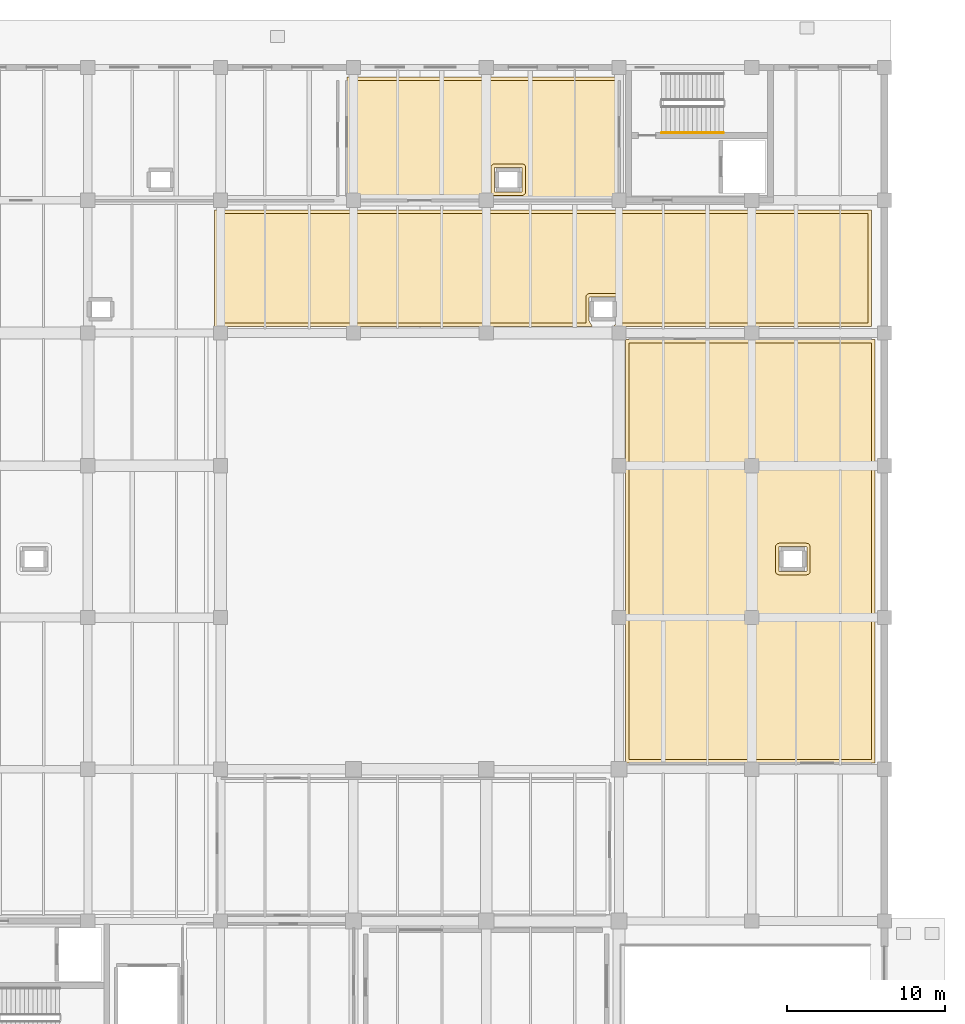
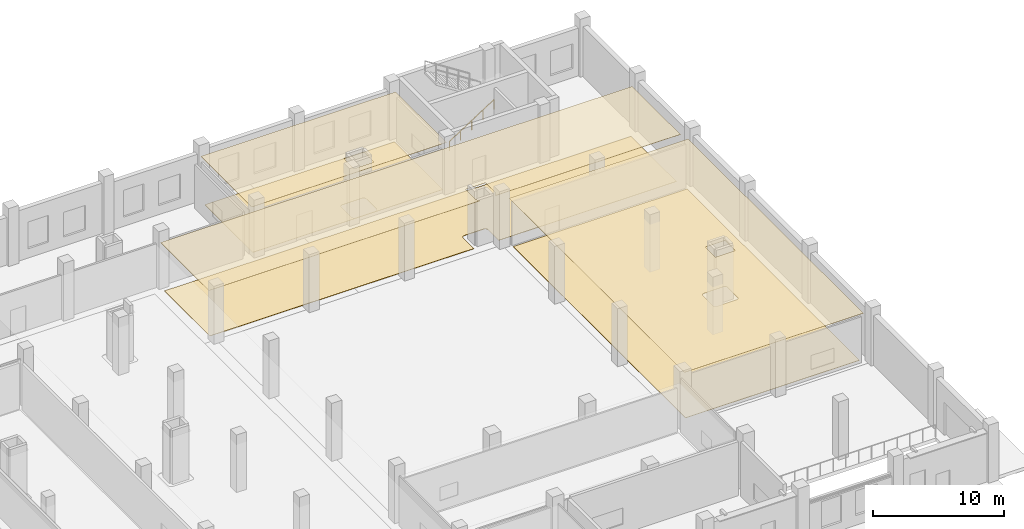
# One storey, part 63 of 65: 6 coverings, 1 railing.
"""IFC4 building model written with IfcOpenShell, lengths in metres."""

import ifcopenshell
import ifcopenshell.guid

model = None  # the IFC model being written
_history = None  # IfcOwnerHistory: only IFC2X3 demands one
_inside = {}  # id of a spatial element -> (the spatial element, [elements in it])
_under = {}  # id of a project, library or spatial element -> (it, [spatial elements below it])
_declared = {}  # id of a project -> (the project, [libraries it declares])
_typed = {}  # id of a type object -> (the type object, [elements of that type])
_made_of = {}  # id of a material, layer set ... -> (it, [elements and type objects made of it])


def new_model(schema):
    """Start an empty IFC model of exactly this schema.

    Asked for "IFC4X3", IfcOpenShell would pick the latest addendum, in which some entities
    have other attributes; the version numbers below select the first issue.
    IFC2X3 requires an IfcOwnerHistory on every rooted entity: one is made here for all.
    """
    global model, _history
    if schema == "IFC4X3":
        model = ifcopenshell.file(schema_version=(4, 3, 0, 0))
    else:
        model = ifcopenshell.file(schema=schema)
    _inside.clear()
    _under.clear()
    _declared.clear()
    _typed.clear()
    _made_of.clear()
    _history = None
    if model.schema == "IFC2X3":
        org = make("IfcOrganization", Name="unknown")
        user = make(
            "IfcPersonAndOrganization",
            ThePerson=make("IfcPerson", FamilyName="unknown"),
            TheOrganization=org,
        )
        app = make(
            "IfcApplication",
            ApplicationDeveloper=org,
            Version="unknown",
            ApplicationFullName="unknown",
            ApplicationIdentifier="unknown",
        )
        _history = make(
            "IfcOwnerHistory",
            OwningUser=user,
            OwningApplication=app,
            ChangeAction="ADDED",
            CreationDate=0,
        )
    return model


def make(cls, **values):
    """One entity of the class cls with the attributes given. An attribute that is None is left unset."""
    return model.create_entity(
        cls, **{name: value for name, value in values.items() if value is not None}
    )


def rooted(cls, **values):
    """An entity with a GlobalId (a new one), such as an element, a storey or a relation."""
    return make(cls, GlobalId=ifcopenshell.guid.new(), OwnerHistory=_history, **values)


def si_unit(unit_type, name, prefix=None):
    """IfcSIUnit, for example si_unit("LENGTHUNIT", "METRE", prefix="MILLI")."""
    return make("IfcSIUnit", UnitType=unit_type, Prefix=prefix, Name=name)


def assignment(units):
    """IfcUnitAssignment: the units of a project."""
    return None if units is None else make("IfcUnitAssignment", Units=units)


def point(xyz):
    """IfcCartesianPoint."""
    return None if xyz is None else make("IfcCartesianPoint", Coordinates=xyz)


def direction(xyz):
    """IfcDirection."""
    return None if xyz is None else make("IfcDirection", DirectionRatios=xyz)


def frame(location, z_axis=None, x_axis=None):
    """IfcAxis2Placement3D, a coordinate frame: its origin and axes. An axis left out is left unset."""
    return make(
        "IfcAxis2Placement3D",
        Location=point(location),
        Axis=direction(z_axis),
        RefDirection=direction(x_axis),
    )


def frame_2d(location, x_axis=None):
    """IfcAxis2Placement2D, a coordinate frame in the plane: its origin and x axis."""
    return make(
        "IfcAxis2Placement2D", Location=point(location), RefDirection=direction(x_axis)
    )


def origin():
    """The frame at (0, 0, 0) with its axes left unset."""
    return frame((0.0, 0.0, 0.0))


def origin_2d():
    """The frame at (0, 0) in the plane with its x axis left unset."""
    return frame_2d((0.0, 0.0))


def place(relative_to, where):
    """IfcLocalPlacement: puts the frame where relative to a parent placement (None: the world)."""
    return make(
        "IfcLocalPlacement", PlacementRelTo=relative_to, RelativePlacement=where
    )


def context(
    kind, dimensions, precision=None, world=None, true_north=None, identifier=None
):
    """IfcGeometricRepresentationContext, for example the 3D "Model" context."""
    return make(
        "IfcGeometricRepresentationContext",
        ContextIdentifier=identifier,
        ContextType=kind,
        CoordinateSpaceDimension=dimensions,
        Precision=precision,
        WorldCoordinateSystem=world,
        TrueNorth=true_north,
    )


def subcontext(parent, identifier, kind, view, scale=None):
    """IfcGeometricRepresentationSubContext, for example "Body" below "Model"."""
    return make(
        "IfcGeometricRepresentationSubContext",
        ContextIdentifier=identifier,
        ContextType=kind,
        ParentContext=parent,
        TargetScale=scale,
        TargetView=view,
    )


def project(units=None, contexts=None):
    """IfcProject with its units and contexts."""
    return rooted(
        "IfcProject",
        Name="project",
        RepresentationContexts=contexts,
        UnitsInContext=assignment(units),
    )


def spatial(cls, under=None, at=None, **own):
    """A site, building, storey or space (cls), placed at a placement, below another one or the project."""
    s = rooted(cls, ObjectPlacement=at, **own)
    if under is not None:
        _under.setdefault(under.id(), (under, []))[1].append(s)
    return s


def polyline(points):
    """IfcPolyline through the points."""
    return make("IfcPolyline", Points=[point(p) for p in points])


def profile(cls, at=None, kind="AREA", **sizes):
    """A parametric profile (cls). Its sizes go by their IFC names, for example OverallWidth=200.0."""
    return make(cls, ProfileType=kind, Position=at, **sizes)


def circle(**sizes):
    """IfcCircleProfileDef."""
    return profile("IfcCircleProfileDef", **sizes)


def outline(outer, holes=None, kind="AREA"):
    """IfcArbitraryClosedProfileDef: a profile drawn as a closed curve; with holes, ...WithVoids."""
    if holes is None:
        return make("IfcArbitraryClosedProfileDef", ProfileType=kind, OuterCurve=outer)
    return make(
        "IfcArbitraryProfileDefWithVoids",
        ProfileType=kind,
        OuterCurve=outer,
        InnerCurves=holes,
    )


def extrude(swept, where, along, depth):
    """IfcExtrudedAreaSolid: the profile swept, set in the frame where, extruded along a direction by depth."""
    return make(
        "IfcExtrudedAreaSolid",
        SweptArea=swept,
        Position=where,
        ExtrudedDirection=direction(along),
        Depth=depth,
    )


def shape(context_of_items, identifier, shape_type, items):
    """IfcShapeRepresentation: the items that make up one representation, for example the "Body"."""
    return make(
        "IfcShapeRepresentation",
        ContextOfItems=context_of_items,
        RepresentationIdentifier=identifier,
        RepresentationType=shape_type,
        Items=items,
    )


def material(Name=None, Category=None):
    """IfcMaterial."""
    return make("IfcMaterial", Name=Name, Category=Category)


def layer(
    of_material, thickness, ventilated=None, Name=None, Category=None, Priority=None
):
    """IfcMaterialLayer: one layer of a wall or slab, of a material (None: an air gap)."""
    return make(
        "IfcMaterialLayer",
        Material=of_material,
        LayerThickness=thickness,
        IsVentilated=ventilated,
        Name=Name,
        Category=Category,
        Priority=Priority,
    )


def layer_set(layers, Name=None):
    """IfcMaterialLayerSet."""
    return make("IfcMaterialLayerSet", MaterialLayers=layers, LayerSetName=Name)


def made_of(thing, what):
    """Note that an element or type object is made of a material, layer set ...; save() writes the relation."""
    if what is not None:
        _made_of.setdefault(what.id(), (what, []))[1].append(thing)
    return thing


def type_object(cls, material=None, **own):
    """A type object (cls), such as IfcWallType, which elements share."""
    return made_of(rooted(cls, **own), material)


def element(
    cls,
    number,
    at=None,
    inside=None,
    cuts=None,
    type_object=None,
    material=None,
    context=None,
    identifier="Body",
    shape_type=None,
    held_by="IfcProductDefinitionShape",
    body=None,
    shapes=None,
    **own,
):
    """One element of the class cls, such as IfcWall. Its Tag is "e" and its number.

    at: its placement. inside: the storey or other place that contains it. cuts: it is an
    opening in that element (IfcRelVoidsElement). A single representation is given by context,
    identifier, shape_type and body (its items); several are given by shapes. held_by: the class
    of the entity that holds the representations. save() writes the other relations.
    """
    e = rooted(cls, Tag="e%d" % number, ObjectPlacement=at, **own)
    if body is not None:
        shapes = [shape(context, identifier, shape_type, body)]
    if shapes is not None:
        e.Representation = make(held_by, Representations=shapes)
    if inside is not None:
        _inside.setdefault(inside.id(), (inside, []))[1].append(e)
    if cuts is not None:
        rooted(
            "IfcRelVoidsElement", RelatingBuildingElement=cuts, RelatedOpeningElement=e
        )
    if type_object is not None:
        _typed.setdefault(type_object.id(), (type_object, []))[1].append(e)
    return made_of(e, material)


def aggregate(whole, parts):
    """IfcRelAggregates: a whole, such as a stair, and the parts it consists of."""
    return rooted("IfcRelAggregates", RelatingObject=whole, RelatedObjects=parts)


def save(model, path):
    """Write the relations noted so far, then the file.

    IfcRelAggregates (storeys below a building ...), IfcRelContainedInSpatialStructure (elements
    in a storey), IfcRelDefinesByType, IfcRelAssociatesMaterial and IfcRelDeclares: one each for
    every whole, place, type object, material and project.
    """
    for whole, parts in _under.values():
        aggregate(whole, parts)
    for where, things in _inside.values():
        rooted(
            "IfcRelContainedInSpatialStructure",
            RelatedElements=things,
            RelatingStructure=where,
        )
    for kind, things in _typed.values():
        rooted("IfcRelDefinesByType", RelatedObjects=things, RelatingType=kind)
    for what, things in _made_of.values():
        rooted("IfcRelAssociatesMaterial", RelatedObjects=things, RelatingMaterial=what)
    for by, libraries in _declared.values():
        rooted("IfcRelDeclares", RelatingContext=by, RelatedDefinitions=libraries)
    model.write(path)


model = new_model("IFC4")

# Units and contexts
model_context = context("Model", 3, precision=1e-05, world=origin(), true_north=direction((0.0, 1.0)))
body_context = subcontext(model_context, "Body", "Model", "MODEL_VIEW")
ifc_project = project(units=[si_unit("LENGTHUNIT", "METRE"), si_unit("AREAUNIT", "SQUARE_METRE"), si_unit("VOLUMEUNIT", "CUBIC_METRE"), si_unit("PLANEANGLEUNIT", "RADIAN"), si_unit("MASSUNIT", "GRAM", prefix="KILO")], contexts=[model_context])

# Site, building, storey
site_placement = place(None, origin())
site = spatial("IfcSite", under=ifc_project, at=site_placement, CompositionType="ELEMENT")
building_placement = place(site_placement, origin())
building = spatial("IfcBuilding", under=site, at=building_placement, Name="Zulmaris Art Gallery", CompositionType="ELEMENT")
storey_placement = place(building_placement, origin())
storey = spatial("IfcBuildingStorey", under=building, at=storey_placement, Name="L00", CompositionType="ELEMENT", Elevation=0.0)

# Coverings
ifc_material_1 = material(Name="Micro-Perforated Gypsum Acoustic Ceiling", Category="gypsum")
ifc_layer_1 = layer(ifc_material_1, 0.02490234375)
ifc_layer_set_1 = layer_set([ifc_layer_1], Name="Micro-Perforated Gypsum Acoustic Ceiling")
covering_type_1 = type_object("IfcCoveringType", Name="COV-CL01", PredefinedType="CEILING", material=ifc_layer_set_1)
covering_1_placement = place(storey_placement, frame((0.0, 0.0, 4.449951171875)))
element("IfcCovering", 1, at=covering_1_placement, inside=storey, type_object=covering_type_1, Name="V5 North Archive Corridor acoustic ceiling", PredefinedType="CEILING", context=body_context, shape_type="SweptSolid", body=[
    extrude(outline(polyline([(199.590087890625, 66.590087890625), (199.590087890625, 59.2099609375), (183.28076171875, 59.2099609375), (183.476318359375, 59.535888671875), (183.4775390625, 59.53857421875), (183.478515625, 59.54150390625), (183.479248046875, 59.544189453125), (183.4794921875, 59.547119140625), (183.47998046875, 59.555419921875), (183.47998046875, 61.044677734375), (183.4794921875, 61.052978515625), (183.479248046875, 61.055908203125), (183.478515625, 61.05859375), (183.4775390625, 61.061279296875), (183.476318359375, 61.06396484375), (183.474609375, 61.06640625), (183.472900390625, 61.06884765625), (183.470947265625, 61.071044921875), (183.468994140625, 61.072998046875), (183.466552734375, 61.07470703125), (183.464111328125, 61.076171875), (183.46142578125, 61.077392578125), (183.45849609375, 61.07861328125), (183.455810546875, 61.0791015625), (183.452880859375, 61.07958984375), (183.444580078125, 61.080078125), (181.75537109375, 61.080078125), (181.7470703125, 61.07958984375), (181.744140625, 61.0791015625), (181.741455078125, 61.07861328125), (181.738525390625, 61.077392578125), (181.736083984375, 61.076171875), (181.7333984375, 61.07470703125), (181.731201171875, 61.072998046875), (181.72900390625, 61.071044921875), (181.72705078125, 61.06884765625), (181.725341796875, 61.06640625), (181.723876953125, 61.06396484375), (181.722412109375, 61.061279296875), (181.721435546875, 61.05859375), (181.720703125, 61.055908203125), (181.720458984375, 61.052978515625), (181.719970703125, 61.044677734375), (181.719970703125, 59.555419921875), (181.720458984375, 59.547119140625), (181.720703125, 59.544189453125), (181.721435546875, 59.54150390625), (181.722412109375, 59.53857421875), (181.723876953125, 59.535888671875), (181.919189453125, 59.2099609375), (158.010009765625, 59.2099609375), (158.010009765625, 66.590087890625), (199.590087890625, 66.590087890625)])), origin(), (0.0, 0.0, 1.0), 0.030029296875),
])
covering_2_placement = place(storey_placement, frame((0.0, 0.0, 4.449951171875)))
element("IfcCovering", 2, at=covering_2_placement, inside=storey, type_object=covering_type_1, Name="Exhibition Mount-Making Workshop acoustic ceiling", PredefinedType="CEILING", context=body_context, shape_type="SweptSolid", body=[
    extrude(outline(polyline([(184.010009765625, 58.389892578125), (199.7900390625, 58.389892578125), (199.7900390625, 31.610107421875), (184.010009765625, 31.610107421875), (184.010009765625, 58.389892578125)]), holes=[polyline([(193.741455078125, 45.278564453125), (193.738525390625, 45.277587890625), (193.736083984375, 45.276123046875), (193.7333984375, 45.274658203125), (193.731201171875, 45.27294921875), (193.72900390625, 45.27099609375), (193.72705078125, 45.268798828125), (193.725341796875, 45.2666015625), (193.723876953125, 45.263916015625), (193.722412109375, 45.261474609375), (193.721435546875, 45.258544921875), (193.720703125, 45.255859375), (193.720458984375, 45.2529296875), (193.719970703125, 45.24462890625), (193.719970703125, 43.75537109375), (193.720458984375, 43.7470703125), (193.720703125, 43.744140625), (193.721435546875, 43.741455078125), (193.722412109375, 43.738525390625), (193.723876953125, 43.736083984375), (193.725341796875, 43.7333984375), (193.72705078125, 43.731201171875), (193.72900390625, 43.72900390625), (193.731201171875, 43.72705078125), (193.7333984375, 43.725341796875), (193.736083984375, 43.723876953125), (193.738525390625, 43.722412109375), (193.741455078125, 43.721435546875), (193.744140625, 43.720703125), (193.7470703125, 43.720458984375), (193.75537109375, 43.719970703125), (195.444580078125, 43.719970703125), (195.452880859375, 43.720458984375), (195.455810546875, 43.720703125), (195.45849609375, 43.721435546875), (195.46142578125, 43.722412109375), (195.464111328125, 43.723876953125), (195.466552734375, 43.725341796875), (195.468994140625, 43.72705078125), (195.470947265625, 43.72900390625), (195.472900390625, 43.731201171875), (195.474609375, 43.7333984375), (195.476318359375, 43.736083984375), (195.4775390625, 43.738525390625), (195.478515625, 43.741455078125), (195.479248046875, 43.744140625), (195.4794921875, 43.7470703125), (195.47998046875, 43.75537109375), (195.47998046875, 45.24462890625), (195.4794921875, 45.2529296875), (195.479248046875, 45.255859375), (195.478515625, 45.258544921875), (195.4775390625, 45.261474609375), (195.476318359375, 45.263916015625), (195.474609375, 45.2666015625), (195.472900390625, 45.268798828125), (195.470947265625, 45.27099609375), (195.468994140625, 45.27294921875), (195.466552734375, 45.274658203125), (195.464111328125, 45.276123046875), (195.46142578125, 45.277587890625), (195.45849609375, 45.278564453125), (195.455810546875, 45.279296875), (195.452880859375, 45.279541015625), (195.444580078125, 45.280029296875), (193.75537109375, 45.280029296875), (193.7470703125, 45.279541015625), (193.744140625, 45.279296875), (193.741455078125, 45.278564453125)])]), origin(), (0.0, 0.0, 1.0), 0.030029296875),
])
covering_3_placement = place(storey_placement, frame((0.0, 0.0, 4.449951171875)))
element("IfcCovering", 3, at=covering_3_placement, inside=storey, type_object=covering_type_1, Name="Registrar & Collections Archive acoustic ceiling", PredefinedType="CEILING", context=body_context, shape_type="SweptSolid", body=[
    extrude(outline(polyline([(166.409912109375, 74.989990234375), (183.590087890625, 74.989990234375), (183.590087890625, 67.2099609375), (166.409912109375, 67.2099609375), (166.409912109375, 74.989990234375)]), holes=[polyline([(175.741455078125, 69.278564453125), (175.738525390625, 69.277587890625), (175.736083984375, 69.276123046875), (175.7333984375, 69.274658203125), (175.731201171875, 69.27294921875), (175.72900390625, 69.27099609375), (175.72705078125, 69.268798828125), (175.725341796875, 69.2666015625), (175.723876953125, 69.263916015625), (175.722412109375, 69.261474609375), (175.721435546875, 69.258544921875), (175.720703125, 69.255859375), (175.720458984375, 69.2529296875), (175.719970703125, 69.24462890625), (175.719970703125, 67.75537109375), (175.720458984375, 67.7470703125), (175.720703125, 67.744140625), (175.721435546875, 67.741455078125), (175.722412109375, 67.738525390625), (175.723876953125, 67.736083984375), (175.725341796875, 67.7333984375), (175.72705078125, 67.731201171875), (175.72900390625, 67.72900390625), (175.731201171875, 67.72705078125), (175.7333984375, 67.725341796875), (175.736083984375, 67.723876953125), (175.738525390625, 67.722412109375), (175.741455078125, 67.721435546875), (175.744140625, 67.720703125), (175.7470703125, 67.720458984375), (175.75537109375, 67.719970703125), (177.444580078125, 67.719970703125), (177.452880859375, 67.720458984375), (177.455810546875, 67.720703125), (177.45849609375, 67.721435546875), (177.46142578125, 67.722412109375), (177.464111328125, 67.723876953125), (177.466552734375, 67.725341796875), (177.468994140625, 67.72705078125), (177.470947265625, 67.72900390625), (177.472900390625, 67.731201171875), (177.474609375, 67.7333984375), (177.476318359375, 67.736083984375), (177.4775390625, 67.738525390625), (177.478515625, 67.741455078125), (177.479248046875, 67.744140625), (177.4794921875, 67.7470703125), (177.47998046875, 67.75537109375), (177.47998046875, 69.24462890625), (177.4794921875, 69.2529296875), (177.479248046875, 69.255859375), (177.478515625, 69.258544921875), (177.4775390625, 69.261474609375), (177.476318359375, 69.263916015625), (177.474609375, 69.2666015625), (177.472900390625, 69.268798828125), (177.470947265625, 69.27099609375), (177.468994140625, 69.27294921875), (177.466552734375, 69.274658203125), (177.464111328125, 69.276123046875), (177.46142578125, 69.277587890625), (177.45849609375, 69.278564453125), (177.455810546875, 69.279296875), (177.452880859375, 69.279541015625), (177.444580078125, 69.280029296875), (175.75537109375, 69.280029296875), (175.7470703125, 69.279541015625), (175.744140625, 69.279296875), (175.741455078125, 69.278564453125)])]), origin(), (0.0, 0.0, 1.0), 0.030029296875),
])
ifc_material_2 = material(Name="Honed Omani Limestone Terrazzo Flooring", Category="masonry")
ifc_layer_2 = layer(ifc_material_2, 0.0400390625)
ifc_layer_set_2 = layer_set([ifc_layer_2], Name="Honed Omani Limestone Terrazzo Flooring")
covering_type_2 = type_object("IfcCoveringType", Name="COV-FL01", PredefinedType="FLOORING", material=ifc_layer_set_2)
covering_4_placement = place(storey_placement, origin())
element("IfcCovering", 4, at=covering_4_placement, inside=storey, type_object=covering_type_2, Name="V5 North Archive Corridor finish flooring", PredefinedType="FLOORING", context=body_context, shape_type="SweptSolid", body=[
    extrude(outline(polyline([(158.22998046875, 59.429931640625), (158.22998046875, 66.3701171875), (199.3701171875, 66.3701171875), (199.3701171875, 59.429931640625), (183.669189453125, 59.429931640625), (183.67041015625, 59.43212890625), (183.680908203125, 59.454345703125), (183.689208984375, 59.477294921875), (183.6953125, 59.501220703125), (183.69873046875, 59.525390625), (183.699951171875, 59.550048828125), (183.699951171875, 61.050048828125), (183.69873046875, 61.074462890625), (183.6953125, 61.098876953125), (183.689208984375, 61.12255859375), (183.680908203125, 61.145751953125), (183.67041015625, 61.167724609375), (183.657958984375, 61.18896484375), (183.643310546875, 61.20849609375), (183.626708984375, 61.226806640625), (183.608642578125, 61.243408203125), (183.5888671875, 61.2578125), (183.56787109375, 61.2705078125), (183.545654296875, 61.281005859375), (183.522705078125, 61.289306640625), (183.498779296875, 61.295166015625), (183.474609375, 61.298828125), (183.449951171875, 61.300048828125), (181.75, 61.300048828125), (181.7255859375, 61.298828125), (181.701171875, 61.295166015625), (181.677490234375, 61.289306640625), (181.654296875, 61.281005859375), (181.632080078125, 61.2705078125), (181.611083984375, 61.2578125), (181.59130859375, 61.243408203125), (181.5732421875, 61.226806640625), (181.556640625, 61.20849609375), (181.5419921875, 61.18896484375), (181.529541015625, 61.167724609375), (181.51904296875, 61.145751953125), (181.5107421875, 61.12255859375), (181.5048828125, 61.098876953125), (181.501220703125, 61.074462890625), (181.5, 61.050048828125), (181.5, 59.550048828125), (181.501220703125, 59.525390625), (181.5048828125, 59.501220703125), (181.5107421875, 59.477294921875), (181.51904296875, 59.454345703125), (181.529541015625, 59.43212890625), (181.53076171875, 59.429931640625), (158.22998046875, 59.429931640625)])), origin(), (0.0, 0.0, 1.0), 0.034912109375),
])
covering_5_placement = place(storey_placement, origin())
element("IfcCovering", 5, at=covering_5_placement, inside=storey, type_object=covering_type_2, Name="Exhibition Mount-Making Workshop finish flooring", PredefinedType="FLOORING", context=body_context, shape_type="SweptSolid", body=[
    extrude(outline(polyline([(199.570068359375, 31.830078125), (184.22998046875, 31.830078125), (184.22998046875, 58.169921875), (199.570068359375, 58.169921875), (199.570068359375, 31.830078125)]), holes=[polyline([(193.7255859375, 45.498779296875), (193.701171875, 45.4951171875), (193.677490234375, 45.4892578125), (193.654296875, 45.48095703125), (193.632080078125, 45.470458984375), (193.611083984375, 45.4580078125), (193.59130859375, 45.443359375), (193.5732421875, 45.4267578125), (193.556640625, 45.40869140625), (193.5419921875, 45.388916015625), (193.529541015625, 45.367919921875), (193.51904296875, 45.345703125), (193.5107421875, 45.322509765625), (193.5048828125, 45.298828125), (193.501220703125, 45.2744140625), (193.5, 45.25), (193.5, 43.75), (193.501220703125, 43.7255859375), (193.5048828125, 43.701171875), (193.5107421875, 43.677490234375), (193.51904296875, 43.654296875), (193.529541015625, 43.632080078125), (193.5419921875, 43.611083984375), (193.556640625, 43.59130859375), (193.5732421875, 43.5732421875), (193.59130859375, 43.556640625), (193.611083984375, 43.5419921875), (193.632080078125, 43.529541015625), (193.654296875, 43.51904296875), (193.677490234375, 43.5107421875), (193.701171875, 43.5048828125), (193.7255859375, 43.501220703125), (193.75, 43.5), (195.449951171875, 43.5), (195.474609375, 43.501220703125), (195.498779296875, 43.5048828125), (195.522705078125, 43.5107421875), (195.545654296875, 43.51904296875), (195.56787109375, 43.529541015625), (195.5888671875, 43.5419921875), (195.608642578125, 43.556640625), (195.626708984375, 43.5732421875), (195.643310546875, 43.59130859375), (195.657958984375, 43.611083984375), (195.67041015625, 43.632080078125), (195.680908203125, 43.654296875), (195.689208984375, 43.677490234375), (195.6953125, 43.701171875), (195.69873046875, 43.7255859375), (195.699951171875, 43.75), (195.699951171875, 45.25), (195.69873046875, 45.2744140625), (195.6953125, 45.298828125), (195.689208984375, 45.322509765625), (195.680908203125, 45.345703125), (195.67041015625, 45.367919921875), (195.657958984375, 45.388916015625), (195.643310546875, 45.40869140625), (195.626708984375, 45.4267578125), (195.608642578125, 45.443359375), (195.5888671875, 45.4580078125), (195.56787109375, 45.470458984375), (195.545654296875, 45.48095703125), (195.522705078125, 45.4892578125), (195.498779296875, 45.4951171875), (195.474609375, 45.498779296875), (195.449951171875, 45.5), (193.75, 45.5), (193.7255859375, 45.498779296875)])]), origin(), (0.0, 0.0, 1.0), 0.034912109375),
])
covering_6_placement = place(storey_placement, origin())
element("IfcCovering", 6, at=covering_6_placement, inside=storey, type_object=covering_type_2, Name="Registrar & Collections Archive finish flooring", PredefinedType="FLOORING", context=body_context, shape_type="SweptSolid", body=[
    extrude(outline(polyline([(183.3701171875, 67.429931640625), (166.6298828125, 67.429931640625), (166.6298828125, 74.77001953125), (183.3701171875, 74.77001953125), (183.3701171875, 67.429931640625)]), holes=[polyline([(175.7255859375, 69.498779296875), (175.701171875, 69.4951171875), (175.677490234375, 69.4892578125), (175.654296875, 69.48095703125), (175.632080078125, 69.470458984375), (175.611083984375, 69.4580078125), (175.59130859375, 69.443359375), (175.5732421875, 69.4267578125), (175.556640625, 69.40869140625), (175.5419921875, 69.388916015625), (175.529541015625, 69.367919921875), (175.51904296875, 69.345703125), (175.5107421875, 69.322509765625), (175.5048828125, 69.298828125), (175.501220703125, 69.2744140625), (175.5, 69.25), (175.5, 67.75), (175.501220703125, 67.7255859375), (175.5048828125, 67.701171875), (175.5107421875, 67.677490234375), (175.51904296875, 67.654296875), (175.529541015625, 67.632080078125), (175.5419921875, 67.611083984375), (175.556640625, 67.59130859375), (175.5732421875, 67.5732421875), (175.59130859375, 67.556640625), (175.611083984375, 67.5419921875), (175.632080078125, 67.529541015625), (175.654296875, 67.51904296875), (175.677490234375, 67.5107421875), (175.701171875, 67.5048828125), (175.7255859375, 67.501220703125), (175.75, 67.5), (177.449951171875, 67.5), (177.474609375, 67.501220703125), (177.498779296875, 67.5048828125), (177.522705078125, 67.5107421875), (177.545654296875, 67.51904296875), (177.56787109375, 67.529541015625), (177.5888671875, 67.5419921875), (177.608642578125, 67.556640625), (177.626708984375, 67.5732421875), (177.643310546875, 67.59130859375), (177.657958984375, 67.611083984375), (177.67041015625, 67.632080078125), (177.680908203125, 67.654296875), (177.689208984375, 67.677490234375), (177.6953125, 67.701171875), (177.69873046875, 67.7255859375), (177.699951171875, 67.75), (177.699951171875, 69.25), (177.69873046875, 69.2744140625), (177.6953125, 69.298828125), (177.689208984375, 69.322509765625), (177.680908203125, 69.345703125), (177.67041015625, 69.367919921875), (177.657958984375, 69.388916015625), (177.643310546875, 69.40869140625), (177.626708984375, 69.4267578125), (177.608642578125, 69.443359375), (177.5888671875, 69.4580078125), (177.56787109375, 69.470458984375), (177.545654296875, 69.48095703125), (177.522705078125, 69.4892578125), (177.498779296875, 69.4951171875), (177.474609375, 69.498779296875), (177.449951171875, 69.5), (175.75, 69.5), (175.7255859375, 69.498779296875)])]), origin(), (0.0, 0.0, 1.0), 0.034912109375),
])

# Railing
ifc_material_3 = material(Name="Brushed Bronze Handrail", Category="steel")
ifc_layer_3 = layer(ifc_material_3, 0.048095703125)
ifc_layer_set_3 = layer_set([ifc_layer_3], Name="Brushed Bronze Handrail")
railing_type = type_object("IfcRailingType", Name="RAIL-STHND", PredefinedType="HANDRAIL", material=ifc_layer_set_3)
railing_placement = place(storey_placement, frame((186.300048828125, 71.4599609375, 0.179931640625)))
element("IfcRailing", 7, at=railing_placement, inside=storey, type_object=railing_type, Name="L00 ST4 stair handrail 1", PredefinedType="HANDRAIL", context=body_context, shape_type="SweptSolid", body=[
    extrude(circle(Radius=0.02392578125, at=origin_2d()), frame((0.0, 0.0, 0.8759765625), z_axis=(0.841171666519, 0.0, 0.540768182723), x_axis=(0.0, 1.0, 0.0)), (0.0, 0.0, 1.0), 4.66015625),
    extrude(circle(Radius=0.02099609375, at=origin_2d()), origin(), (0.0, 0.0, 1.0), 0.851806640625),
    extrude(circle(Radius=0.02099609375, at=origin_2d()), frame((0.97998046875, 0.0, 0.6298828125)), (0.0, 0.0, 1.0), 0.851806640625),
    extrude(circle(Radius=0.02099609375, at=origin_2d()), frame((1.9599609375, 0.0, 1.260009765625)), (0.0, 0.0, 1.0), 0.851806640625),
    extrude(circle(Radius=0.02099609375, at=origin_2d()), frame((2.93994140625, 0.0, 1.89013671875)), (0.0, 0.0, 1.0), 0.851806640625),
    extrude(circle(Radius=0.02099609375, at=origin_2d()), frame((3.919921875, 0.0, 2.52001953125)), (0.0, 0.0, 1.0), 0.851806640625),
])

save(model, "model.ifc")
